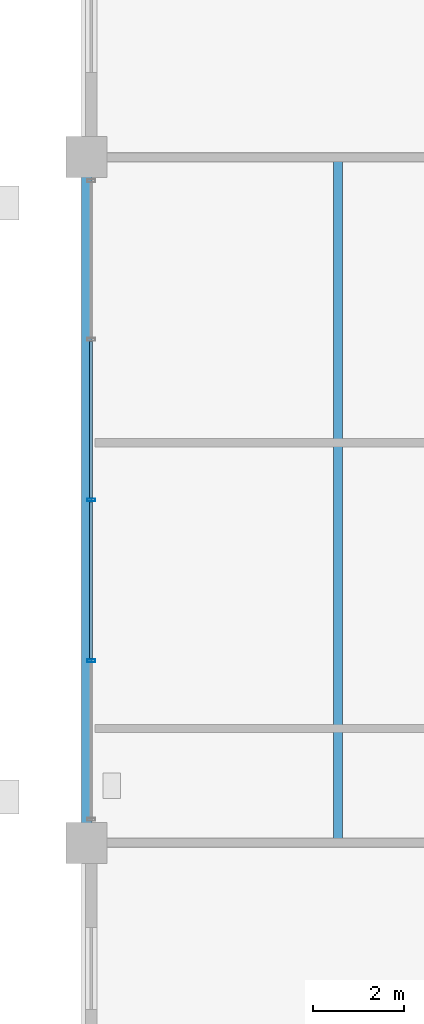
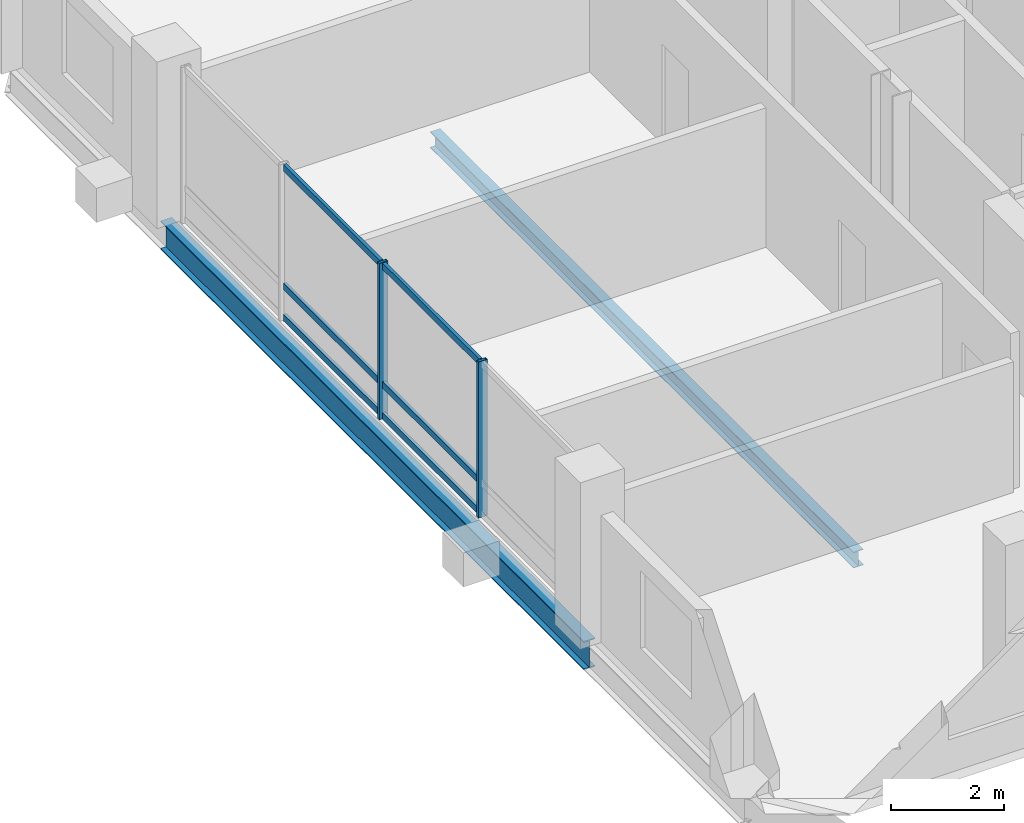
# One storey, part 6 of 21: 8 members, 2 beams, 1 element without a shape of its own.
"""IFC4 building model written with IfcOpenShell, lengths in metres."""

import ifcopenshell
import ifcopenshell.guid

model = None  # the IFC model being written
_history = None  # IfcOwnerHistory: only IFC2X3 demands one
_inside = {}  # id of a spatial element -> (the spatial element, [elements in it])
_under = {}  # id of a project, library or spatial element -> (it, [spatial elements below it])
_declared = {}  # id of a project -> (the project, [libraries it declares])
_typed = {}  # id of a type object -> (the type object, [elements of that type])
_made_of = {}  # id of a material, layer set ... -> (it, [elements and type objects made of it])


def new_model(schema):
    """Start an empty IFC model of exactly this schema.

    Asked for "IFC4X3", IfcOpenShell would pick the latest addendum, in which some entities
    have other attributes; the version numbers below select the first issue.
    IFC2X3 requires an IfcOwnerHistory on every rooted entity: one is made here for all.
    """
    global model, _history
    if schema == "IFC4X3":
        model = ifcopenshell.file(schema_version=(4, 3, 0, 0))
    else:
        model = ifcopenshell.file(schema=schema)
    _inside.clear()
    _under.clear()
    _declared.clear()
    _typed.clear()
    _made_of.clear()
    _history = None
    if model.schema == "IFC2X3":
        org = make("IfcOrganization", Name="unknown")
        user = make(
            "IfcPersonAndOrganization",
            ThePerson=make("IfcPerson", FamilyName="unknown"),
            TheOrganization=org,
        )
        app = make(
            "IfcApplication",
            ApplicationDeveloper=org,
            Version="unknown",
            ApplicationFullName="unknown",
            ApplicationIdentifier="unknown",
        )
        _history = make(
            "IfcOwnerHistory",
            OwningUser=user,
            OwningApplication=app,
            ChangeAction="ADDED",
            CreationDate=0,
        )
    return model


def make(cls, **values):
    """One entity of the class cls with the attributes given. An attribute that is None is left unset."""
    return model.create_entity(
        cls, **{name: value for name, value in values.items() if value is not None}
    )


def rooted(cls, **values):
    """An entity with a GlobalId (a new one), such as an element, a storey or a relation."""
    return make(cls, GlobalId=ifcopenshell.guid.new(), OwnerHistory=_history, **values)


def si_unit(unit_type, name, prefix=None):
    """IfcSIUnit, for example si_unit("LENGTHUNIT", "METRE", prefix="MILLI")."""
    return make("IfcSIUnit", UnitType=unit_type, Prefix=prefix, Name=name)


def assignment(units):
    """IfcUnitAssignment: the units of a project."""
    return None if units is None else make("IfcUnitAssignment", Units=units)


def point(xyz):
    """IfcCartesianPoint."""
    return None if xyz is None else make("IfcCartesianPoint", Coordinates=xyz)


def direction(xyz):
    """IfcDirection."""
    return None if xyz is None else make("IfcDirection", DirectionRatios=xyz)


def frame(location, z_axis=None, x_axis=None):
    """IfcAxis2Placement3D, a coordinate frame: its origin and axes. An axis left out is left unset."""
    return make(
        "IfcAxis2Placement3D",
        Location=point(location),
        Axis=direction(z_axis),
        RefDirection=direction(x_axis),
    )


def frame_2d(location, x_axis=None):
    """IfcAxis2Placement2D, a coordinate frame in the plane: its origin and x axis."""
    return make(
        "IfcAxis2Placement2D", Location=point(location), RefDirection=direction(x_axis)
    )


def origin():
    """The frame at (0, 0, 0) with its axes left unset."""
    return frame((0.0, 0.0, 0.0))


def origin_2d():
    """The frame at (0, 0) in the plane with its x axis left unset."""
    return frame_2d((0.0, 0.0))


def place(relative_to, where):
    """IfcLocalPlacement: puts the frame where relative to a parent placement (None: the world)."""
    return make(
        "IfcLocalPlacement", PlacementRelTo=relative_to, RelativePlacement=where
    )


def context(
    kind, dimensions, precision=None, world=None, true_north=None, identifier=None
):
    """IfcGeometricRepresentationContext, for example the 3D "Model" context."""
    return make(
        "IfcGeometricRepresentationContext",
        ContextIdentifier=identifier,
        ContextType=kind,
        CoordinateSpaceDimension=dimensions,
        Precision=precision,
        WorldCoordinateSystem=world,
        TrueNorth=true_north,
    )


def subcontext(parent, identifier, kind, view, scale=None):
    """IfcGeometricRepresentationSubContext, for example "Body" below "Model"."""
    return make(
        "IfcGeometricRepresentationSubContext",
        ContextIdentifier=identifier,
        ContextType=kind,
        ParentContext=parent,
        TargetScale=scale,
        TargetView=view,
    )


def project(units=None, contexts=None):
    """IfcProject with its units and contexts."""
    return rooted(
        "IfcProject",
        Name="project",
        RepresentationContexts=contexts,
        UnitsInContext=assignment(units),
    )


def spatial(cls, under=None, at=None, **own):
    """A site, building, storey or space (cls), placed at a placement, below another one or the project."""
    s = rooted(cls, ObjectPlacement=at, **own)
    if under is not None:
        _under.setdefault(under.id(), (under, []))[1].append(s)
    return s


def profile(cls, at=None, kind="AREA", **sizes):
    """A parametric profile (cls). Its sizes go by their IFC names, for example OverallWidth=200.0."""
    return make(cls, ProfileType=kind, Position=at, **sizes)


def hollow_rectangle(**sizes):
    """IfcRectangleHollowProfileDef."""
    return profile("IfcRectangleHollowProfileDef", **sizes)


def i_section(**sizes):
    """IfcIShapeProfileDef."""
    return profile("IfcIShapeProfileDef", **sizes)


def extrude(swept, where, along, depth):
    """IfcExtrudedAreaSolid: the profile swept, set in the frame where, extruded along a direction by depth."""
    return make(
        "IfcExtrudedAreaSolid",
        SweptArea=swept,
        Position=where,
        ExtrudedDirection=direction(along),
        Depth=depth,
    )


def shape(context_of_items, identifier, shape_type, items):
    """IfcShapeRepresentation: the items that make up one representation, for example the "Body"."""
    return make(
        "IfcShapeRepresentation",
        ContextOfItems=context_of_items,
        RepresentationIdentifier=identifier,
        RepresentationType=shape_type,
        Items=items,
    )


def material(Name=None, Category=None):
    """IfcMaterial."""
    return make("IfcMaterial", Name=Name, Category=Category)


def layer(
    of_material, thickness, ventilated=None, Name=None, Category=None, Priority=None
):
    """IfcMaterialLayer: one layer of a wall or slab, of a material (None: an air gap)."""
    return make(
        "IfcMaterialLayer",
        Material=of_material,
        LayerThickness=thickness,
        IsVentilated=ventilated,
        Name=Name,
        Category=Category,
        Priority=Priority,
    )


def layer_set(layers, Name=None):
    """IfcMaterialLayerSet."""
    return make("IfcMaterialLayerSet", MaterialLayers=layers, LayerSetName=Name)


def material_profile(
    of_material, cross_section, Name=None, Category=None, Priority=None
):
    """IfcMaterialProfile: a cross section and its material."""
    return make(
        "IfcMaterialProfile",
        Name=Name,
        Material=of_material,
        Profile=cross_section,
        Priority=Priority,
        Category=Category,
    )


def profile_set(profiles, Name=None, composite=None):
    """IfcMaterialProfileSet."""
    return make(
        "IfcMaterialProfileSet",
        Name=Name,
        MaterialProfiles=profiles,
        CompositeProfile=composite,
    )


def made_of(thing, what):
    """Note that an element or type object is made of a material, layer set ...; save() writes the relation."""
    if what is not None:
        _made_of.setdefault(what.id(), (what, []))[1].append(thing)
    return thing


def type_object(cls, material=None, **own):
    """A type object (cls), such as IfcWallType, which elements share."""
    return made_of(rooted(cls, **own), material)


def element(
    cls,
    number,
    at=None,
    inside=None,
    cuts=None,
    type_object=None,
    material=None,
    context=None,
    identifier="Body",
    shape_type=None,
    held_by="IfcProductDefinitionShape",
    body=None,
    shapes=None,
    **own,
):
    """One element of the class cls, such as IfcWall. Its Tag is "e" and its number.

    at: its placement. inside: the storey or other place that contains it. cuts: it is an
    opening in that element (IfcRelVoidsElement). A single representation is given by context,
    identifier, shape_type and body (its items); several are given by shapes. held_by: the class
    of the entity that holds the representations. save() writes the other relations.
    """
    e = rooted(cls, Tag="e%d" % number, ObjectPlacement=at, **own)
    if body is not None:
        shapes = [shape(context, identifier, shape_type, body)]
    if shapes is not None:
        e.Representation = make(held_by, Representations=shapes)
    if inside is not None:
        _inside.setdefault(inside.id(), (inside, []))[1].append(e)
    if cuts is not None:
        rooted(
            "IfcRelVoidsElement", RelatingBuildingElement=cuts, RelatedOpeningElement=e
        )
    if type_object is not None:
        _typed.setdefault(type_object.id(), (type_object, []))[1].append(e)
    return made_of(e, material)


def aggregate(whole, parts):
    """IfcRelAggregates: a whole, such as a stair, and the parts it consists of."""
    return rooted("IfcRelAggregates", RelatingObject=whole, RelatedObjects=parts)


def save(model, path):
    """Write the relations noted so far, then the file.

    IfcRelAggregates (storeys below a building ...), IfcRelContainedInSpatialStructure (elements
    in a storey), IfcRelDefinesByType, IfcRelAssociatesMaterial and IfcRelDeclares: one each for
    every whole, place, type object, material and project.
    """
    for whole, parts in _under.values():
        aggregate(whole, parts)
    for where, things in _inside.values():
        rooted(
            "IfcRelContainedInSpatialStructure",
            RelatedElements=things,
            RelatingStructure=where,
        )
    for kind, things in _typed.values():
        rooted("IfcRelDefinesByType", RelatedObjects=things, RelatingType=kind)
    for what, things in _made_of.values():
        rooted("IfcRelAssociatesMaterial", RelatedObjects=things, RelatingMaterial=what)
    for by, libraries in _declared.values():
        rooted("IfcRelDeclares", RelatingContext=by, RelatedDefinitions=libraries)
    model.write(path)


model = new_model("IFC4")

# Units and contexts
model_context = context("Model", 3, precision=1e-05, world=origin(), true_north=direction((0.0, 1.0)))
body_context = subcontext(model_context, "Body", "Model", "MODEL_VIEW")
ifc_project = project(units=[si_unit("LENGTHUNIT", "METRE"), si_unit("AREAUNIT", "SQUARE_METRE"), si_unit("VOLUMEUNIT", "CUBIC_METRE"), si_unit("PLANEANGLEUNIT", "RADIAN"), si_unit("MASSUNIT", "GRAM", prefix="KILO")], contexts=[model_context])

# Site, building, storey
site_placement = place(None, origin())
site = spatial("IfcSite", under=ifc_project, at=site_placement, CompositionType="ELEMENT")
building_placement = place(site_placement, origin())
building = spatial("IfcBuilding", under=site, at=building_placement, Name="Barlavira Tower and Art Museum", CompositionType="ELEMENT")
storey_placement = place(building_placement, frame((0.0, 0.0, 276.300048828125)))
storey = spatial("IfcBuildingStorey", under=building, at=storey_placement, Name="L72", CompositionType="ELEMENT", Elevation=276.300048828125)

# Curtain wall, members
ifc_material_1 = material(Name="Low-iron coastal laminated glass", Category="glass")
ifc_layer = layer(ifc_material_1, 0.2099609375, Name="Low-iron coastal laminated glass")
ifc_layer_set = layer_set([ifc_layer], Name="Low-iron coastal laminated glass")
curtain_wall_type = type_object("IfcCurtainWallType", Name="Pale-Metal Unitised Curtain Wall Zone 4", PredefinedType="NOTDEFINED", material=ifc_layer_set)
curtain_wall_placement = place(storey_placement, origin())
curtain_wall = element("IfcCurtainWall", 1, at=curtain_wall_placement, inside=storey, type_object=curtain_wall_type, Name="L72 Curtain Wall CW4-L72-W-B3", PredefinedType="NOTDEFINED")
ifc_material_2 = material(Name="Pale anodised aluminium", Category="aluminium")
ifc_material_profile_1 = material_profile(ifc_material_2, hollow_rectangle(XDim=0.06494140625, YDim=0.179931640625, WallThickness=0.00390625, at=origin_2d()), Name="ALU-MULL 65x180x4")
ifc_profile_set_1 = profile_set([ifc_material_profile_1], Name="Pale anodised aluminium")
member_type_1 = type_object("IfcMemberType", Name="Curtain Wall Pale-Metal Mullion 65x180", PredefinedType="MULLION", material=ifc_profile_set_1)
member_1_placement = place(storey_placement, frame((-16.89990234375, 0.0, 0.0), z_axis=(0.0, 0.0, 1.0), x_axis=(0.0, -1.0, 0.0)))
member_1 = element("IfcMember", 2, at=member_1_placement, type_object=member_type_1, Name="CW4-L72-W-B3 Mullion 2", PredefinedType="MULLION", context=body_context, shape_type="SweptSolid", body=[
    extrude(hollow_rectangle(XDim=0.06494140625, YDim=0.179931640625, WallThickness=0.00390625, at=origin_2d()), origin(), (0.0, 0.0, 1.0), 3.3798828125),
])
member_2_placement = place(storey_placement, frame((-16.89990234375, -3.514892578125, 0.0), z_axis=(0.0, 0.0, 1.0), x_axis=(0.0, -1.0, 0.0)))
member_2 = element("IfcMember", 3, at=member_2_placement, type_object=member_type_1, Name="CW4-L72-W-B3 Mullion 3", PredefinedType="MULLION", context=body_context, shape_type="SweptSolid", body=[
    extrude(hollow_rectangle(XDim=0.06494140625, YDim=0.179931640625, WallThickness=0.00390625, at=origin_2d()), origin(), (0.0, 0.0, 1.0), 3.3798828125),
])
ifc_material_profile_2 = material_profile(ifc_material_2, hollow_rectangle(XDim=0.06494140625, YDim=0.139892578125, WallThickness=0.00390625, at=origin_2d()), Name="ALU-TRAN 65x140x4")
ifc_profile_set_2 = profile_set([ifc_material_profile_2], Name="Pale anodised aluminium")
member_type_2 = type_object("IfcMemberType", Name="Curtain Wall Pale-Metal Transom 65x140", PredefinedType="USERDEFINED", material=ifc_profile_set_2)
member_3_placement = place(storey_placement, frame((-16.89990234375, 3.469970703125, 0.070068359375), z_axis=(0.0, -1.0, 0.0), x_axis=(1.0, 0.0, 0.0)))
member_3 = element("IfcMember", 4, at=member_3_placement, type_object=member_type_2, Name="CW4-L72-W-B3 Transom 1.1", ObjectType="TRANSOM", PredefinedType="USERDEFINED", context=body_context, shape_type="SweptSolid", body=[
    extrude(hollow_rectangle(XDim=0.06494140625, YDim=0.139892578125, WallThickness=0.00390625, at=origin_2d()), origin(), (0.0, 0.0, 1.0), 3.425048828125),
])
member_4_placement = place(storey_placement, frame((-16.89990234375, 3.469970703125, 0.743896484375), z_axis=(0.0, -1.0, 0.0), x_axis=(1.0, 0.0, 0.0)))
member_4 = element("IfcMember", 5, at=member_4_placement, type_object=member_type_2, Name="CW4-L72-W-B3 Transom 1.2", ObjectType="TRANSOM", PredefinedType="USERDEFINED", context=body_context, shape_type="SweptSolid", body=[
    extrude(hollow_rectangle(XDim=0.06494140625, YDim=0.139892578125, WallThickness=0.00390625, at=origin_2d()), origin(), (0.0, 0.0, 1.0), 3.425048828125),
])
member_5_placement = place(storey_placement, frame((-16.89990234375, 3.469970703125, 3.31005859375), z_axis=(0.0, -1.0, 0.0), x_axis=(1.0, 0.0, 0.0)))
member_5 = element("IfcMember", 6, at=member_5_placement, type_object=member_type_2, Name="CW4-L72-W-B3 Transom 1.3", ObjectType="TRANSOM", PredefinedType="USERDEFINED", context=body_context, shape_type="SweptSolid", body=[
    extrude(hollow_rectangle(XDim=0.06494140625, YDim=0.139892578125, WallThickness=0.00390625, at=origin_2d()), origin(), (0.0, 0.0, 1.0), 3.425048828125),
])
member_6_placement = place(storey_placement, frame((-16.89990234375, -0.044921875, 0.070068359375), z_axis=(0.0, -1.0, 0.0), x_axis=(1.0, 0.0, 0.0)))
member_6 = element("IfcMember", 7, at=member_6_placement, type_object=member_type_2, Name="CW4-L72-W-B3 Transom 2.1", ObjectType="TRANSOM", PredefinedType="USERDEFINED", context=body_context, shape_type="SweptSolid", body=[
    extrude(hollow_rectangle(XDim=0.06494140625, YDim=0.139892578125, WallThickness=0.00390625, at=origin_2d()), origin(), (0.0, 0.0, 1.0), 3.425048828125),
])
member_7_placement = place(storey_placement, frame((-16.89990234375, -0.044921875, 0.743896484375), z_axis=(0.0, -1.0, 0.0), x_axis=(1.0, 0.0, 0.0)))
member_7 = element("IfcMember", 8, at=member_7_placement, type_object=member_type_2, Name="CW4-L72-W-B3 Transom 2.2", ObjectType="TRANSOM", PredefinedType="USERDEFINED", context=body_context, shape_type="SweptSolid", body=[
    extrude(hollow_rectangle(XDim=0.06494140625, YDim=0.139892578125, WallThickness=0.00390625, at=origin_2d()), origin(), (0.0, 0.0, 1.0), 3.425048828125),
])
member_8_placement = place(storey_placement, frame((-16.89990234375, -0.044921875, 3.31005859375), z_axis=(0.0, -1.0, 0.0), x_axis=(1.0, 0.0, 0.0)))
member_8 = element("IfcMember", 9, at=member_8_placement, type_object=member_type_2, Name="CW4-L72-W-B3 Transom 2.3", ObjectType="TRANSOM", PredefinedType="USERDEFINED", context=body_context, shape_type="SweptSolid", body=[
    extrude(hollow_rectangle(XDim=0.06494140625, YDim=0.139892578125, WallThickness=0.00390625, at=origin_2d()), origin(), (0.0, 0.0, 1.0), 3.425048828125),
])
aggregate(curtain_wall, [member_1, member_2, member_3, member_4, member_5, member_6, member_7, member_8])

# Beams
ifc_material_3 = material(Name="Steel S355", Category="steel")
ifc_material_profile_3 = material_profile(ifc_material_3, i_section(OverallWidth=0.22998046875, OverallDepth=0.616943359375, WebThickness=0.01318359375, FlangeThickness=0.022216796875, at=origin_2d()), Name="W610x140.0")
ifc_profile_set_3 = profile_set([ifc_material_profile_3], Name="Steel S355")
beam_type_1 = type_object("IfcBeamType", Name="Upper Shaft Spandrel Edge Beam W610x140 Steel S355", PredefinedType="SPANDREL", material=ifc_profile_set_3)
beam_1_placement = place(storey_placement, frame((-17.0, -7.5, -0.528564453125), z_axis=(0.0, 1.0, 0.0), x_axis=(-1.0, 0.0, 0.0)))
element("IfcBeam", 10, at=beam_1_placement, inside=storey, type_object=beam_type_1, Name="L72 Spandrel 14", PredefinedType="SPANDREL", context=body_context, shape_type="SweptSolid", body=[
    extrude(i_section(OverallWidth=0.22998046875, OverallDepth=0.616943359375, WebThickness=0.01318359375, FlangeThickness=0.022216796875, at=origin_2d()), origin(), (0.0, 0.0, 1.0), 15.0),
])
ifc_material_profile_4 = material_profile(ifc_material_3, i_section(OverallWidth=0.202880859375, OverallDepth=0.346923828125, WebThickness=0.0078125, FlangeThickness=0.013427734375, at=origin_2d()), Name="W360x64.0")
ifc_profile_set_4 = profile_set([ifc_material_profile_4], Name="Steel S355")
beam_type_2 = type_object("IfcBeamType", Name="Zone 4 Composite Floor Joist W360x64 Steel S355", PredefinedType="JOIST", material=ifc_profile_set_4)
beam_2_placement = place(storey_placement, frame((-11.5, -7.5, -0.3935546875), z_axis=(0.0, 1.0, 0.0), x_axis=(-1.0, 0.0, 0.0)))
element("IfcBeam", 11, at=beam_2_placement, inside=storey, type_object=beam_type_2, Name="L72 Joist W1", PredefinedType="JOIST", context=body_context, shape_type="SweptSolid", body=[
    extrude(i_section(OverallWidth=0.202880859375, OverallDepth=0.346923828125, WebThickness=0.0078125, FlangeThickness=0.013427734375, at=origin_2d()), origin(), (0.0, 0.0, 1.0), 15.0),
])

save(model, "model.ifc")
